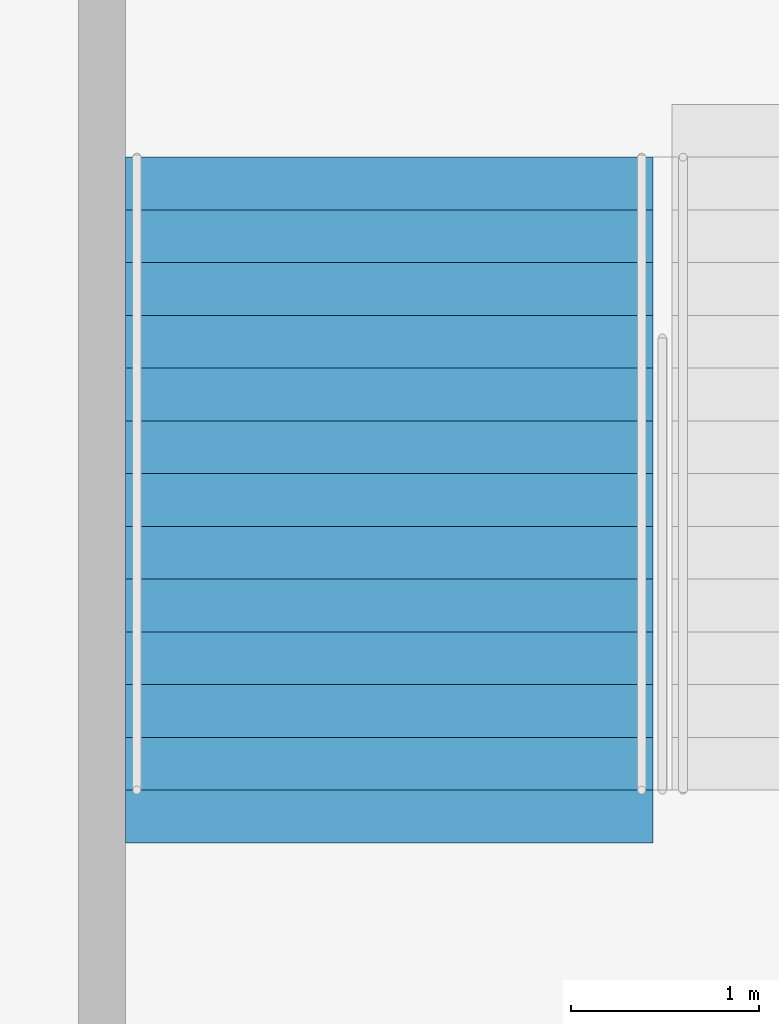
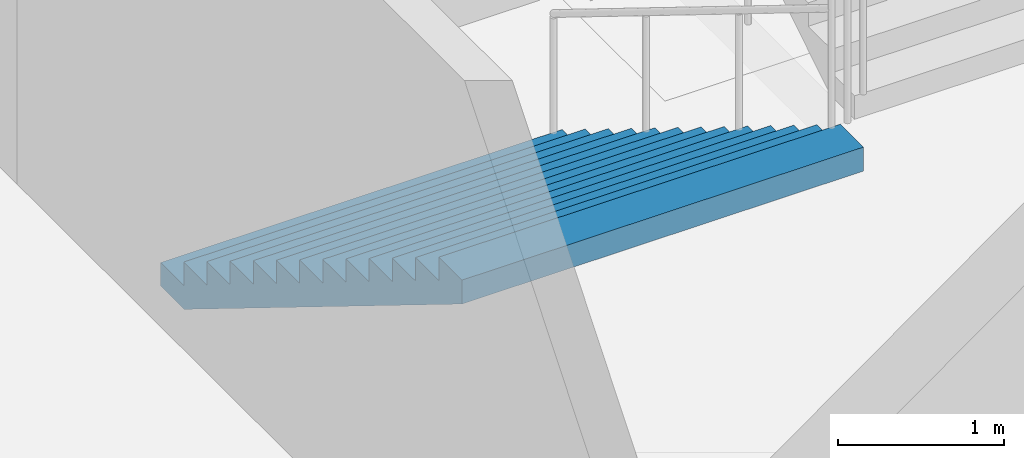
# One storey, part 67 of 115: 1 stair flight, 1 element without a shape of its own.
"""IFC4 building model written with IfcOpenShell, lengths in metres."""

import ifcopenshell
import ifcopenshell.guid

model = None  # the IFC model being written
_history = None  # IfcOwnerHistory: only IFC2X3 demands one
_inside = {}  # id of a spatial element -> (the spatial element, [elements in it])
_under = {}  # id of a project, library or spatial element -> (it, [spatial elements below it])
_declared = {}  # id of a project -> (the project, [libraries it declares])
_typed = {}  # id of a type object -> (the type object, [elements of that type])
_made_of = {}  # id of a material, layer set ... -> (it, [elements and type objects made of it])


def new_model(schema):
    """Start an empty IFC model of exactly this schema.

    Asked for "IFC4X3", IfcOpenShell would pick the latest addendum, in which some entities
    have other attributes; the version numbers below select the first issue.
    IFC2X3 requires an IfcOwnerHistory on every rooted entity: one is made here for all.
    """
    global model, _history
    if schema == "IFC4X3":
        model = ifcopenshell.file(schema_version=(4, 3, 0, 0))
    else:
        model = ifcopenshell.file(schema=schema)
    _inside.clear()
    _under.clear()
    _declared.clear()
    _typed.clear()
    _made_of.clear()
    _history = None
    if model.schema == "IFC2X3":
        org = make("IfcOrganization", Name="unknown")
        user = make(
            "IfcPersonAndOrganization",
            ThePerson=make("IfcPerson", FamilyName="unknown"),
            TheOrganization=org,
        )
        app = make(
            "IfcApplication",
            ApplicationDeveloper=org,
            Version="unknown",
            ApplicationFullName="unknown",
            ApplicationIdentifier="unknown",
        )
        _history = make(
            "IfcOwnerHistory",
            OwningUser=user,
            OwningApplication=app,
            ChangeAction="ADDED",
            CreationDate=0,
        )
    return model


def make(cls, **values):
    """One entity of the class cls with the attributes given. An attribute that is None is left unset."""
    return model.create_entity(
        cls, **{name: value for name, value in values.items() if value is not None}
    )


def rooted(cls, **values):
    """An entity with a GlobalId (a new one), such as an element, a storey or a relation."""
    return make(cls, GlobalId=ifcopenshell.guid.new(), OwnerHistory=_history, **values)


def si_unit(unit_type, name, prefix=None):
    """IfcSIUnit, for example si_unit("LENGTHUNIT", "METRE", prefix="MILLI")."""
    return make("IfcSIUnit", UnitType=unit_type, Prefix=prefix, Name=name)


def assignment(units):
    """IfcUnitAssignment: the units of a project."""
    return None if units is None else make("IfcUnitAssignment", Units=units)


def point(xyz):
    """IfcCartesianPoint."""
    return None if xyz is None else make("IfcCartesianPoint", Coordinates=xyz)


def direction(xyz):
    """IfcDirection."""
    return None if xyz is None else make("IfcDirection", DirectionRatios=xyz)


def frame(location, z_axis=None, x_axis=None):
    """IfcAxis2Placement3D, a coordinate frame: its origin and axes. An axis left out is left unset."""
    return make(
        "IfcAxis2Placement3D",
        Location=point(location),
        Axis=direction(z_axis),
        RefDirection=direction(x_axis),
    )


def origin():
    """The frame at (0, 0, 0) with its axes left unset."""
    return frame((0.0, 0.0, 0.0))


def place(relative_to, where):
    """IfcLocalPlacement: puts the frame where relative to a parent placement (None: the world)."""
    return make(
        "IfcLocalPlacement", PlacementRelTo=relative_to, RelativePlacement=where
    )


def context(
    kind, dimensions, precision=None, world=None, true_north=None, identifier=None
):
    """IfcGeometricRepresentationContext, for example the 3D "Model" context."""
    return make(
        "IfcGeometricRepresentationContext",
        ContextIdentifier=identifier,
        ContextType=kind,
        CoordinateSpaceDimension=dimensions,
        Precision=precision,
        WorldCoordinateSystem=world,
        TrueNorth=true_north,
    )


def subcontext(parent, identifier, kind, view, scale=None):
    """IfcGeometricRepresentationSubContext, for example "Body" below "Model"."""
    return make(
        "IfcGeometricRepresentationSubContext",
        ContextIdentifier=identifier,
        ContextType=kind,
        ParentContext=parent,
        TargetScale=scale,
        TargetView=view,
    )


def project(units=None, contexts=None):
    """IfcProject with its units and contexts."""
    return rooted(
        "IfcProject",
        Name="project",
        RepresentationContexts=contexts,
        UnitsInContext=assignment(units),
    )


def spatial(cls, under=None, at=None, **own):
    """A site, building, storey or space (cls), placed at a placement, below another one or the project."""
    s = rooted(cls, ObjectPlacement=at, **own)
    if under is not None:
        _under.setdefault(under.id(), (under, []))[1].append(s)
    return s


def faces_of(points, faces, orient=None, outer=None):
    """IfcFace entities. A face is a list of loops; a loop is a list of indices into points, from 0.

    orient and outer hold one flag for each loop. By default every Orientation is true, the
    first loop of a face is its IfcFaceOuterBound and the others are IfcFaceBound.
    """
    made = []
    for i, loops in enumerate(faces):
        bounds = []
        for j, loop in enumerate(loops):
            is_outer = j == 0 if outer is None else outer[i][j]
            bounds.append(
                make(
                    "IfcFaceOuterBound" if is_outer else "IfcFaceBound",
                    Bound=make("IfcPolyLoop", Polygon=[points[k] for k in loop]),
                    Orientation=True if orient is None else orient[i][j],
                )
            )
        made.append(make("IfcFace", Bounds=bounds))
    return made


def faceted_brep(points, faces, orient=None, outer=None, voids=None):
    """IfcFacetedBrep: a solid bounded by flat faces; with voids (closed shells), ...WithVoids."""
    shared = [point(p) for p in points]
    hull = make("IfcClosedShell", CfsFaces=faces_of(shared, faces, orient, outer))
    if voids is None:
        return make("IfcFacetedBrep", Outer=hull)
    return make(
        "IfcFacetedBrepWithVoids",
        Outer=hull,
        Voids=[
            make(cls, CfsFaces=faces_of(shared, fs, o, b)) for cls, fs, o, b in voids
        ],
    )


def shape(context_of_items, identifier, shape_type, items):
    """IfcShapeRepresentation: the items that make up one representation, for example the "Body"."""
    return make(
        "IfcShapeRepresentation",
        ContextOfItems=context_of_items,
        RepresentationIdentifier=identifier,
        RepresentationType=shape_type,
        Items=items,
    )


def material(Name=None, Category=None):
    """IfcMaterial."""
    return make("IfcMaterial", Name=Name, Category=Category)


def made_of(thing, what):
    """Note that an element or type object is made of a material, layer set ...; save() writes the relation."""
    if what is not None:
        _made_of.setdefault(what.id(), (what, []))[1].append(thing)
    return thing


def type_object(cls, material=None, **own):
    """A type object (cls), such as IfcWallType, which elements share."""
    return made_of(rooted(cls, **own), material)


def element(
    cls,
    number,
    at=None,
    inside=None,
    cuts=None,
    type_object=None,
    material=None,
    context=None,
    identifier="Body",
    shape_type=None,
    held_by="IfcProductDefinitionShape",
    body=None,
    shapes=None,
    **own,
):
    """One element of the class cls, such as IfcWall. Its Tag is "e" and its number.

    at: its placement. inside: the storey or other place that contains it. cuts: it is an
    opening in that element (IfcRelVoidsElement). A single representation is given by context,
    identifier, shape_type and body (its items); several are given by shapes. held_by: the class
    of the entity that holds the representations. save() writes the other relations.
    """
    e = rooted(cls, Tag="e%d" % number, ObjectPlacement=at, **own)
    if body is not None:
        shapes = [shape(context, identifier, shape_type, body)]
    if shapes is not None:
        e.Representation = make(held_by, Representations=shapes)
    if inside is not None:
        _inside.setdefault(inside.id(), (inside, []))[1].append(e)
    if cuts is not None:
        rooted(
            "IfcRelVoidsElement", RelatingBuildingElement=cuts, RelatedOpeningElement=e
        )
    if type_object is not None:
        _typed.setdefault(type_object.id(), (type_object, []))[1].append(e)
    return made_of(e, material)


def aggregate(whole, parts):
    """IfcRelAggregates: a whole, such as a stair, and the parts it consists of."""
    return rooted("IfcRelAggregates", RelatingObject=whole, RelatedObjects=parts)


def save(model, path):
    """Write the relations noted so far, then the file.

    IfcRelAggregates (storeys below a building ...), IfcRelContainedInSpatialStructure (elements
    in a storey), IfcRelDefinesByType, IfcRelAssociatesMaterial and IfcRelDeclares: one each for
    every whole, place, type object, material and project.
    """
    for whole, parts in _under.values():
        aggregate(whole, parts)
    for where, things in _inside.values():
        rooted(
            "IfcRelContainedInSpatialStructure",
            RelatedElements=things,
            RelatingStructure=where,
        )
    for kind, things in _typed.values():
        rooted("IfcRelDefinesByType", RelatedObjects=things, RelatingType=kind)
    for what, things in _made_of.values():
        rooted("IfcRelAssociatesMaterial", RelatedObjects=things, RelatingMaterial=what)
    for by, libraries in _declared.values():
        rooted("IfcRelDeclares", RelatingContext=by, RelatedDefinitions=libraries)
    model.write(path)


model = new_model("IFC4")

# Units and contexts
model_context = context("Model", 3, precision=1e-05, world=origin(), true_north=direction((0.0, 1.0)))
body_context = subcontext(model_context, "Body", "Model", "MODEL_VIEW")
ifc_project = project(units=[si_unit("LENGTHUNIT", "METRE"), si_unit("AREAUNIT", "SQUARE_METRE"), si_unit("VOLUMEUNIT", "CUBIC_METRE"), si_unit("PLANEANGLEUNIT", "RADIAN"), si_unit("MASSUNIT", "GRAM", prefix="KILO")], contexts=[model_context])

# Site, building, storey
site_placement = place(None, origin())
site = spatial("IfcSite", under=ifc_project, at=site_placement, CompositionType="ELEMENT")
building_placement = place(site_placement, origin())
building = spatial("IfcBuilding", under=site, at=building_placement, Name="Ogive Plaza Stadium", CompositionType="ELEMENT")
storey_placement = place(building_placement, frame((0.0, 0.0, -4.5)))
storey = spatial("IfcBuildingStorey", under=building, at=storey_placement, Name="B1", CompositionType="ELEMENT", Elevation=-4.5)

# Stair, stair flight
ifc_material_1 = material(Name="Concrete C40/50", Category="concrete")
stair_type = type_object("IfcStairType", Name="Exit stair", PredefinedType="STRAIGHT_RUN_STAIR", material=ifc_material_1)
stair_placement = place(storey_placement, origin())
stair = element("IfcStair", 1, at=stair_placement, inside=storey, type_object=stair_type, Name="Exit stair ST12A B1 to L00", PredefinedType="STRAIGHT_RUN_STAIR")
ifc_material_2 = material(Name="Concrete C40/50", Category="concrete")
stair_flight_type = type_object("IfcStairFlightType", Name="Exit stair flight", PredefinedType="STRAIGHT", material=ifc_material_2)
stair_flight_placement = place(storey_placement, frame((29.574951171875, -94.85009765625, 0.0), z_axis=(0.0, 0.0, 1.0), x_axis=(0.0, -1.0, 0.0)))
stair_flight = element("IfcStairFlight", 2, at=stair_flight_placement, type_object=stair_flight_type, Name="ST12A flight 1", NumberOfRisers=13, NumberOfTreads=12, PredefinedType="STRAIGHT", RiserHeight=0.173076923, TreadLength=0.28, context=body_context, shape_type="Brep", body=[
    faceted_brep([(0.28515625, -1.39990234375, 0.0), (3.639892578125, -1.39990234375, 2.07373046875), (3.639892578125, -1.39990234375, 2.25), (3.360107421875, -1.39990234375, 2.25), (3.360107421875, -1.39990234375, 2.076904296875), (3.080078125, -1.39990234375, 2.076904296875), (3.080078125, -1.39990234375, 1.90380859375), (2.800048828125, -1.39990234375, 1.90380859375), (2.800048828125, -1.39990234375, 1.730712890625), (2.52001953125, -1.39990234375, 1.730712890625), (2.52001953125, -1.39990234375, 1.5576171875), (2.239990234375, -1.39990234375, 1.5576171875), (2.239990234375, -1.39990234375, 1.384521484375), (1.9599609375, -1.39990234375, 1.384521484375), (1.9599609375, -1.39990234375, 1.21142578125), (1.679931640625, -1.39990234375, 1.21142578125), (1.679931640625, -1.39990234375, 1.03857421875), (1.39990234375, -1.39990234375, 1.03857421875), (1.39990234375, -1.39990234375, 0.865478515625), (1.1201171875, -1.39990234375, 0.865478515625), (1.1201171875, -1.39990234375, 0.6923828125), (0.840087890625, -1.39990234375, 0.6923828125), (0.840087890625, -1.39990234375, 0.519287109375), (0.56005859375, -1.39990234375, 0.519287109375), (0.56005859375, -1.39990234375, 0.34619140625), (0.280029296875, -1.39990234375, 0.34619140625), (0.280029296875, -1.39990234375, 0.173095703125), (0.0, -1.39990234375, 0.173095703125), (0.0, -1.39990234375, 0.0), (0.0, 1.39990234375, 0.0), (0.0, 1.39990234375, 0.173095703125), (0.280029296875, 1.39990234375, 0.173095703125), (0.280029296875, 1.39990234375, 0.34619140625), (0.56005859375, 1.39990234375, 0.34619140625), (0.56005859375, 1.39990234375, 0.519287109375), (0.840087890625, 1.39990234375, 0.519287109375), (0.840087890625, 1.39990234375, 0.6923828125), (1.1201171875, 1.39990234375, 0.6923828125), (1.1201171875, 1.39990234375, 0.865478515625), (1.39990234375, 1.39990234375, 0.865478515625), (1.39990234375, 1.39990234375, 1.03857421875), (1.679931640625, 1.39990234375, 1.03857421875), (1.679931640625, 1.39990234375, 1.21142578125), (1.9599609375, 1.39990234375, 1.21142578125), (1.9599609375, 1.39990234375, 1.384521484375), (2.239990234375, 1.39990234375, 1.384521484375), (2.239990234375, 1.39990234375, 1.5576171875), (2.52001953125, 1.39990234375, 1.5576171875), (2.52001953125, 1.39990234375, 1.730712890625), (2.800048828125, 1.39990234375, 1.730712890625), (2.800048828125, 1.39990234375, 1.90380859375), (3.080078125, 1.39990234375, 1.90380859375), (3.080078125, 1.39990234375, 2.076904296875), (3.360107421875, 1.39990234375, 2.076904296875), (3.360107421875, 1.39990234375, 2.25), (3.639892578125, 1.39990234375, 2.25), (3.639892578125, 1.39990234375, 2.07373046875), (0.28515625, 1.39990234375, 0.0), (0.28515625, -1.0888671875, 0.0), (3.639892578125, -1.0888671875, 2.07373046875), (0.28515625, -0.77783203125, 0.0), (3.639892578125, -0.77783203125, 2.07373046875), (0.28515625, -0.466796875, 0.0), (3.639892578125, -0.466796875, 2.07373046875), (0.28515625, -0.155517578125, 0.0), (3.639892578125, -0.155517578125, 2.07373046875), (0.28515625, 0.155517578125, 0.0), (3.639892578125, 0.155517578125, 2.07373046875), (0.28515625, 0.466796875, 0.0), (3.639892578125, 0.466796875, 2.07373046875), (0.28515625, 0.77783203125, 0.0), (3.639892578125, 0.77783203125, 2.07373046875), (0.28515625, 1.0888671875, 0.0), (3.639892578125, 1.0888671875, 2.07373046875), (3.639892578125, -1.0888671875, 2.25), (3.639892578125, -0.77783203125, 2.25), (3.639892578125, -0.466796875, 2.25), (3.639892578125, -0.155517578125, 2.25), (3.639892578125, 0.155517578125, 2.25), (3.639892578125, 0.466796875, 2.25), (3.639892578125, 0.77783203125, 2.25), (3.639892578125, 1.0888671875, 2.25), (3.360107421875, -1.0888671875, 2.25), (3.360107421875, -0.77783203125, 2.25), (3.360107421875, -0.466796875, 2.25), (3.360107421875, -0.155517578125, 2.25), (3.360107421875, 0.155517578125, 2.25), (3.360107421875, 0.466796875, 2.25), (3.360107421875, 0.77783203125, 2.25), (3.360107421875, 1.0888671875, 2.25), (3.360107421875, -1.0888671875, 2.076904296875), (3.360107421875, -0.77783203125, 2.076904296875), (3.360107421875, -0.466796875, 2.076904296875), (3.360107421875, -0.155517578125, 2.076904296875), (3.360107421875, 0.155517578125, 2.076904296875), (3.360107421875, 0.466796875, 2.076904296875), (3.360107421875, 0.77783203125, 2.076904296875), (3.360107421875, 1.0888671875, 2.076904296875), (3.080078125, -1.0888671875, 2.076904296875), (3.080078125, -0.77783203125, 2.076904296875), (3.080078125, -0.466796875, 2.076904296875), (3.080078125, -0.155517578125, 2.076904296875), (3.080078125, 0.155517578125, 2.076904296875), (3.080078125, 0.466796875, 2.076904296875), (3.080078125, 0.77783203125, 2.076904296875), (3.080078125, 1.0888671875, 2.076904296875), (3.080078125, -1.0888671875, 1.90380859375), (3.080078125, -0.77783203125, 1.90380859375), (3.080078125, -0.466796875, 1.90380859375), (3.080078125, -0.155517578125, 1.90380859375), (3.080078125, 0.155517578125, 1.90380859375), (3.080078125, 0.466796875, 1.90380859375), (3.080078125, 0.77783203125, 1.90380859375), (3.080078125, 1.0888671875, 1.90380859375), (2.800048828125, -1.0888671875, 1.90380859375), (2.800048828125, -0.77783203125, 1.90380859375), (2.800048828125, -0.466796875, 1.90380859375), (2.800048828125, -0.155517578125, 1.90380859375), (2.800048828125, 0.155517578125, 1.90380859375), (2.800048828125, 0.466796875, 1.90380859375), (2.800048828125, 0.77783203125, 1.90380859375), (2.800048828125, 1.0888671875, 1.90380859375), (2.800048828125, -1.0888671875, 1.730712890625), (2.800048828125, -0.77783203125, 1.730712890625), (2.800048828125, -0.466796875, 1.730712890625), (2.800048828125, -0.155517578125, 1.730712890625), (2.800048828125, 0.155517578125, 1.730712890625), (2.800048828125, 0.466796875, 1.730712890625), (2.800048828125, 0.77783203125, 1.730712890625), (2.800048828125, 1.0888671875, 1.730712890625), (2.52001953125, -1.0888671875, 1.730712890625), (2.52001953125, -0.77783203125, 1.730712890625), (2.52001953125, -0.466796875, 1.730712890625), (2.52001953125, -0.155517578125, 1.730712890625), (2.52001953125, 0.155517578125, 1.730712890625), (2.52001953125, 0.466796875, 1.730712890625), (2.52001953125, 0.77783203125, 1.730712890625), (2.52001953125, 1.0888671875, 1.730712890625), (2.52001953125, -1.0888671875, 1.5576171875), (2.52001953125, -0.77783203125, 1.5576171875), (2.52001953125, -0.466796875, 1.5576171875), (2.52001953125, -0.155517578125, 1.5576171875), (2.52001953125, 0.155517578125, 1.5576171875), (2.52001953125, 0.466796875, 1.5576171875), (2.52001953125, 0.77783203125, 1.5576171875), (2.52001953125, 1.0888671875, 1.5576171875), (2.239990234375, -1.0888671875, 1.5576171875), (2.239990234375, -0.77783203125, 1.5576171875), (2.239990234375, -0.466796875, 1.5576171875), (2.239990234375, -0.155517578125, 1.5576171875), (2.239990234375, 0.155517578125, 1.5576171875), (2.239990234375, 0.466796875, 1.5576171875), (2.239990234375, 0.77783203125, 1.5576171875), (2.239990234375, 1.0888671875, 1.5576171875), (2.239990234375, -1.0888671875, 1.384521484375), (2.239990234375, -0.77783203125, 1.384521484375), (2.239990234375, -0.466796875, 1.384521484375), (2.239990234375, -0.155517578125, 1.384521484375), (2.239990234375, 0.155517578125, 1.384521484375), (2.239990234375, 0.466796875, 1.384521484375), (2.239990234375, 0.77783203125, 1.384521484375), (2.239990234375, 1.0888671875, 1.384521484375), (1.9599609375, -1.0888671875, 1.384521484375), (1.9599609375, -0.77783203125, 1.384521484375), (1.9599609375, -0.466796875, 1.384521484375), (1.9599609375, -0.155517578125, 1.384521484375), (1.9599609375, 0.155517578125, 1.384521484375), (1.9599609375, 0.466796875, 1.384521484375), (1.9599609375, 0.77783203125, 1.384521484375), (1.9599609375, 1.0888671875, 1.384521484375), (1.9599609375, -1.0888671875, 1.21142578125), (1.9599609375, -0.77783203125, 1.21142578125), (1.9599609375, -0.466796875, 1.21142578125), (1.9599609375, -0.155517578125, 1.21142578125), (1.9599609375, 0.155517578125, 1.21142578125), (1.9599609375, 0.466796875, 1.21142578125), (1.9599609375, 0.77783203125, 1.21142578125), (1.9599609375, 1.0888671875, 1.21142578125), (1.679931640625, -1.0888671875, 1.21142578125), (1.679931640625, -0.77783203125, 1.21142578125), (1.679931640625, -0.466796875, 1.21142578125), (1.679931640625, -0.155517578125, 1.21142578125), (1.679931640625, 0.155517578125, 1.21142578125), (1.679931640625, 0.466796875, 1.21142578125), (1.679931640625, 0.77783203125, 1.21142578125), (1.679931640625, 1.0888671875, 1.21142578125), (1.679931640625, -1.0888671875, 1.03857421875), (1.679931640625, -0.77783203125, 1.03857421875), (1.679931640625, -0.466796875, 1.03857421875), (1.679931640625, -0.155517578125, 1.03857421875), (1.679931640625, 0.155517578125, 1.03857421875), (1.679931640625, 0.466796875, 1.03857421875), (1.679931640625, 0.77783203125, 1.03857421875), (1.679931640625, 1.0888671875, 1.03857421875), (1.39990234375, -1.0888671875, 1.03857421875), (1.39990234375, -0.77783203125, 1.03857421875), (1.39990234375, -0.466796875, 1.03857421875), (1.39990234375, -0.155517578125, 1.03857421875), (1.39990234375, 0.155517578125, 1.03857421875), (1.39990234375, 0.466796875, 1.03857421875), (1.39990234375, 0.77783203125, 1.03857421875), (1.39990234375, 1.0888671875, 1.03857421875), (1.39990234375, -1.0888671875, 0.865478515625), (1.39990234375, -0.77783203125, 0.865478515625), (1.39990234375, -0.466796875, 0.865478515625), (1.39990234375, -0.155517578125, 0.865478515625), (1.39990234375, 0.155517578125, 0.865478515625), (1.39990234375, 0.466796875, 0.865478515625), (1.39990234375, 0.77783203125, 0.865478515625), (1.39990234375, 1.0888671875, 0.865478515625), (1.1201171875, -1.0888671875, 0.865478515625), (1.1201171875, -0.77783203125, 0.865478515625), (1.1201171875, -0.466796875, 0.865478515625), (1.1201171875, -0.155517578125, 0.865478515625), (1.1201171875, 0.155517578125, 0.865478515625), (1.1201171875, 0.466796875, 0.865478515625), (1.1201171875, 0.77783203125, 0.865478515625), (1.1201171875, 1.0888671875, 0.865478515625), (1.1201171875, -1.0888671875, 0.6923828125), (1.1201171875, -0.77783203125, 0.6923828125), (1.1201171875, -0.466796875, 0.6923828125), (1.1201171875, -0.155517578125, 0.6923828125), (1.1201171875, 0.155517578125, 0.6923828125), (1.1201171875, 0.466796875, 0.6923828125), (1.1201171875, 0.77783203125, 0.6923828125), (1.1201171875, 1.0888671875, 0.6923828125), (0.840087890625, -1.0888671875, 0.6923828125), (0.840087890625, -0.77783203125, 0.6923828125), (0.840087890625, -0.466796875, 0.6923828125), (0.840087890625, -0.155517578125, 0.6923828125), (0.840087890625, 0.155517578125, 0.6923828125), (0.840087890625, 0.466796875, 0.6923828125), (0.840087890625, 0.77783203125, 0.6923828125), (0.840087890625, 1.0888671875, 0.6923828125), (0.840087890625, -1.0888671875, 0.519287109375), (0.840087890625, -0.77783203125, 0.519287109375), (0.840087890625, -0.466796875, 0.519287109375), (0.840087890625, -0.155517578125, 0.519287109375), (0.840087890625, 0.155517578125, 0.519287109375), (0.840087890625, 0.466796875, 0.519287109375), (0.840087890625, 0.77783203125, 0.519287109375), (0.840087890625, 1.0888671875, 0.519287109375), (0.56005859375, -1.0888671875, 0.519287109375), (0.56005859375, -0.77783203125, 0.519287109375), (0.56005859375, -0.466796875, 0.519287109375), (0.56005859375, -0.155517578125, 0.519287109375), (0.56005859375, 0.155517578125, 0.519287109375), (0.56005859375, 0.466796875, 0.519287109375), (0.56005859375, 0.77783203125, 0.519287109375), (0.56005859375, 1.0888671875, 0.519287109375), (0.56005859375, -1.0888671875, 0.34619140625), (0.56005859375, -0.77783203125, 0.34619140625), (0.56005859375, -0.466796875, 0.34619140625), (0.56005859375, -0.155517578125, 0.34619140625), (0.56005859375, 0.155517578125, 0.34619140625), (0.56005859375, 0.466796875, 0.34619140625), (0.56005859375, 0.77783203125, 0.34619140625), (0.56005859375, 1.0888671875, 0.34619140625), (0.280029296875, -1.0888671875, 0.34619140625), (0.280029296875, -0.77783203125, 0.34619140625), (0.280029296875, -0.466796875, 0.34619140625), (0.280029296875, -0.155517578125, 0.34619140625), (0.280029296875, 0.155517578125, 0.34619140625), (0.280029296875, 0.466796875, 0.34619140625), (0.280029296875, 0.77783203125, 0.34619140625), (0.280029296875, 1.0888671875, 0.34619140625), (0.280029296875, -1.0888671875, 0.173095703125), (0.280029296875, -0.77783203125, 0.173095703125), (0.280029296875, -0.466796875, 0.173095703125), (0.280029296875, -0.155517578125, 0.173095703125), (0.280029296875, 0.155517578125, 0.173095703125), (0.280029296875, 0.466796875, 0.173095703125), (0.280029296875, 0.77783203125, 0.173095703125), (0.280029296875, 1.0888671875, 0.173095703125), (0.0, -1.0888671875, 0.173095703125), (0.0, -0.77783203125, 0.173095703125), (0.0, -0.466796875, 0.173095703125), (0.0, -0.155517578125, 0.173095703125), (0.0, 0.155517578125, 0.173095703125), (0.0, 0.466796875, 0.173095703125), (0.0, 0.77783203125, 0.173095703125), (0.0, 1.0888671875, 0.173095703125), (0.0, -1.0888671875, 0.0), (0.0, -0.77783203125, 0.0), (0.0, -0.466796875, 0.0), (0.0, -0.155517578125, 0.0), (0.0, 0.155517578125, 0.0), (0.0, 0.466796875, 0.0), (0.0, 0.77783203125, 0.0), (0.0, 1.0888671875, 0.0)], [[[0, 1, 2, 3, 4, 5, 6, 7, 8, 9, 10, 11, 12, 13, 14, 15, 16, 17, 18, 19, 20, 21, 22, 23, 24, 25, 26, 27, 28]], [[29, 30, 31, 32, 33, 34, 35, 36, 37, 38, 39, 40, 41, 42, 43, 44, 45, 46, 47, 48, 49, 50, 51, 52, 53, 54, 55, 56, 57]], [[0, 58, 59, 1]], [[58, 60, 61, 59]], [[60, 62, 63, 61]], [[62, 64, 65, 63]], [[64, 66, 67, 65]], [[66, 68, 69, 67]], [[68, 70, 71, 69]], [[70, 72, 73, 71]], [[72, 57, 56, 73]], [[1, 59, 74, 2]], [[59, 61, 75, 74]], [[61, 63, 76, 75]], [[63, 65, 77, 76]], [[65, 67, 78, 77]], [[67, 69, 79, 78]], [[69, 71, 80, 79]], [[71, 73, 81, 80]], [[73, 56, 55, 81]], [[2, 74, 82, 3]], [[74, 75, 83, 82]], [[75, 76, 84, 83]], [[76, 77, 85, 84]], [[77, 78, 86, 85]], [[78, 79, 87, 86]], [[79, 80, 88, 87]], [[80, 81, 89, 88]], [[81, 55, 54, 89]], [[3, 82, 90, 4]], [[82, 83, 91, 90]], [[83, 84, 92, 91]], [[84, 85, 93, 92]], [[85, 86, 94, 93]], [[86, 87, 95, 94]], [[87, 88, 96, 95]], [[88, 89, 97, 96]], [[89, 54, 53, 97]], [[4, 90, 98, 5]], [[90, 91, 99, 98]], [[91, 92, 100, 99]], [[92, 93, 101, 100]], [[93, 94, 102, 101]], [[94, 95, 103, 102]], [[95, 96, 104, 103]], [[96, 97, 105, 104]], [[97, 53, 52, 105]], [[5, 98, 106, 6]], [[98, 99, 107, 106]], [[99, 100, 108, 107]], [[100, 101, 109, 108]], [[101, 102, 110, 109]], [[102, 103, 111, 110]], [[103, 104, 112, 111]], [[104, 105, 113, 112]], [[105, 52, 51, 113]], [[6, 106, 114, 7]], [[106, 107, 115, 114]], [[107, 108, 116, 115]], [[108, 109, 117, 116]], [[109, 110, 118, 117]], [[110, 111, 119, 118]], [[111, 112, 120, 119]], [[112, 113, 121, 120]], [[113, 51, 50, 121]], [[7, 114, 122, 8]], [[114, 115, 123, 122]], [[115, 116, 124, 123]], [[116, 117, 125, 124]], [[117, 118, 126, 125]], [[118, 119, 127, 126]], [[119, 120, 128, 127]], [[120, 121, 129, 128]], [[121, 50, 49, 129]], [[8, 122, 130, 9]], [[122, 123, 131, 130]], [[123, 124, 132, 131]], [[124, 125, 133, 132]], [[125, 126, 134, 133]], [[126, 127, 135, 134]], [[127, 128, 136, 135]], [[128, 129, 137, 136]], [[129, 49, 48, 137]], [[9, 130, 138, 10]], [[130, 131, 139, 138]], [[131, 132, 140, 139]], [[132, 133, 141, 140]], [[133, 134, 142, 141]], [[134, 135, 143, 142]], [[135, 136, 144, 143]], [[136, 137, 145, 144]], [[137, 48, 47, 145]], [[10, 138, 146, 11]], [[138, 139, 147, 146]], [[139, 140, 148, 147]], [[140, 141, 149, 148]], [[141, 142, 150, 149]], [[142, 143, 151, 150]], [[143, 144, 152, 151]], [[144, 145, 153, 152]], [[145, 47, 46, 153]], [[11, 146, 154, 12]], [[146, 147, 155, 154]], [[147, 148, 156, 155]], [[148, 149, 157, 156]], [[149, 150, 158, 157]], [[150, 151, 159, 158]], [[151, 152, 160, 159]], [[152, 153, 161, 160]], [[153, 46, 45, 161]], [[12, 154, 162, 13]], [[154, 155, 163, 162]], [[155, 156, 164, 163]], [[156, 157, 165, 164]], [[157, 158, 166, 165]], [[158, 159, 167, 166]], [[159, 160, 168, 167]], [[160, 161, 169, 168]], [[161, 45, 44, 169]], [[13, 162, 170, 14]], [[162, 163, 171, 170]], [[163, 164, 172, 171]], [[164, 165, 173, 172]], [[165, 166, 174, 173]], [[166, 167, 175, 174]], [[167, 168, 176, 175]], [[168, 169, 177, 176]], [[169, 44, 43, 177]], [[14, 170, 178, 15]], [[170, 171, 179, 178]], [[171, 172, 180, 179]], [[172, 173, 181, 180]], [[173, 174, 182, 181]], [[174, 175, 183, 182]], [[175, 176, 184, 183]], [[176, 177, 185, 184]], [[177, 43, 42, 185]], [[15, 178, 186, 16]], [[178, 179, 187, 186]], [[179, 180, 188, 187]], [[180, 181, 189, 188]], [[181, 182, 190, 189]], [[182, 183, 191, 190]], [[183, 184, 192, 191]], [[184, 185, 193, 192]], [[185, 42, 41, 193]], [[16, 186, 194, 17]], [[186, 187, 195, 194]], [[187, 188, 196, 195]], [[188, 189, 197, 196]], [[189, 190, 198, 197]], [[190, 191, 199, 198]], [[191, 192, 200, 199]], [[192, 193, 201, 200]], [[193, 41, 40, 201]], [[17, 194, 202, 18]], [[194, 195, 203, 202]], [[195, 196, 204, 203]], [[196, 197, 205, 204]], [[197, 198, 206, 205]], [[198, 199, 207, 206]], [[199, 200, 208, 207]], [[200, 201, 209, 208]], [[201, 40, 39, 209]], [[18, 202, 210, 19]], [[202, 203, 211, 210]], [[203, 204, 212, 211]], [[204, 205, 213, 212]], [[205, 206, 214, 213]], [[206, 207, 215, 214]], [[207, 208, 216, 215]], [[208, 209, 217, 216]], [[209, 39, 38, 217]], [[19, 210, 218, 20]], [[210, 211, 219, 218]], [[211, 212, 220, 219]], [[212, 213, 221, 220]], [[213, 214, 222, 221]], [[214, 215, 223, 222]], [[215, 216, 224, 223]], [[216, 217, 225, 224]], [[217, 38, 37, 225]], [[20, 218, 226, 21]], [[218, 219, 227, 226]], [[219, 220, 228, 227]], [[220, 221, 229, 228]], [[221, 222, 230, 229]], [[222, 223, 231, 230]], [[223, 224, 232, 231]], [[224, 225, 233, 232]], [[225, 37, 36, 233]], [[21, 226, 234, 22]], [[226, 227, 235, 234]], [[227, 228, 236, 235]], [[228, 229, 237, 236]], [[229, 230, 238, 237]], [[230, 231, 239, 238]], [[231, 232, 240, 239]], [[232, 233, 241, 240]], [[233, 36, 35, 241]], [[22, 234, 242, 23]], [[234, 235, 243, 242]], [[235, 236, 244, 243]], [[236, 237, 245, 244]], [[237, 238, 246, 245]], [[238, 239, 247, 246]], [[239, 240, 248, 247]], [[240, 241, 249, 248]], [[241, 35, 34, 249]], [[23, 242, 250, 24]], [[242, 243, 251, 250]], [[243, 244, 252, 251]], [[244, 245, 253, 252]], [[245, 246, 254, 253]], [[246, 247, 255, 254]], [[247, 248, 256, 255]], [[248, 249, 257, 256]], [[249, 34, 33, 257]], [[24, 250, 258, 25]], [[250, 251, 259, 258]], [[251, 252, 260, 259]], [[252, 253, 261, 260]], [[253, 254, 262, 261]], [[254, 255, 263, 262]], [[255, 256, 264, 263]], [[256, 257, 265, 264]], [[257, 33, 32, 265]], [[25, 258, 266, 26]], [[258, 259, 267, 266]], [[259, 260, 268, 267]], [[260, 261, 269, 268]], [[261, 262, 270, 269]], [[262, 263, 271, 270]], [[263, 264, 272, 271]], [[264, 265, 273, 272]], [[265, 32, 31, 273]], [[26, 266, 274, 27]], [[266, 267, 275, 274]], [[267, 268, 276, 275]], [[268, 269, 277, 276]], [[269, 270, 278, 277]], [[270, 271, 279, 278]], [[271, 272, 280, 279]], [[272, 273, 281, 280]], [[273, 31, 30, 281]], [[27, 274, 282, 28]], [[274, 275, 283, 282]], [[275, 276, 284, 283]], [[276, 277, 285, 284]], [[277, 278, 286, 285]], [[278, 279, 287, 286]], [[279, 280, 288, 287]], [[280, 281, 289, 288]], [[281, 30, 29, 289]], [[28, 282, 58, 0]], [[282, 283, 60, 58]], [[283, 284, 62, 60]], [[284, 285, 64, 62]], [[285, 286, 66, 64]], [[286, 287, 68, 66]], [[287, 288, 70, 68]], [[288, 289, 72, 70]], [[289, 29, 57, 72]]]),
])
aggregate(stair, [stair_flight])

save(model, "model.ifc")
